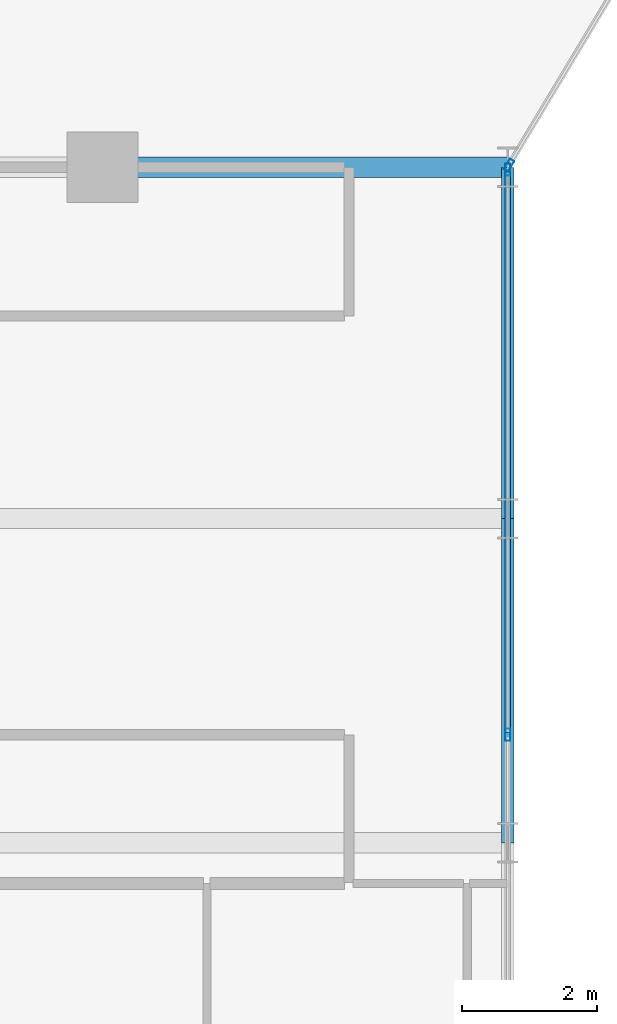
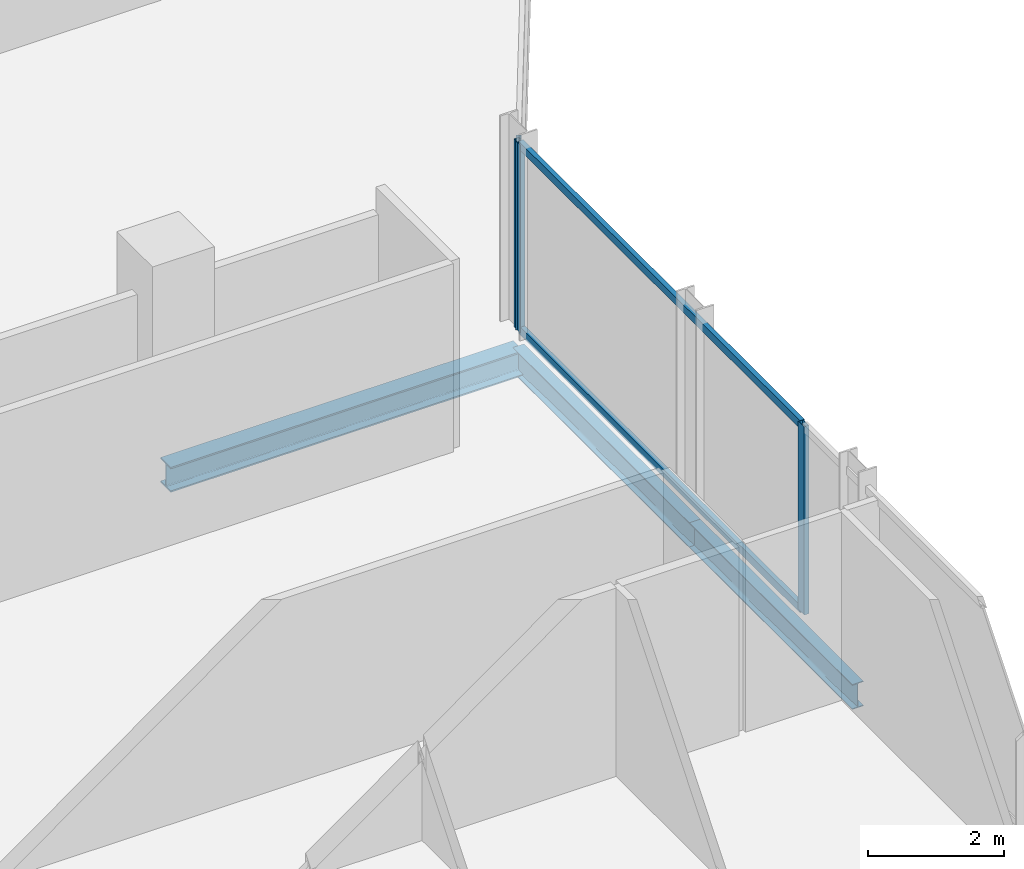
# One storey, part 12 of 30: 5 members, 3 beams, 2 elements without a shape of their own.
"""IFC4 building model written with IfcOpenShell, lengths in metres."""

from ifc_helpers import new_model, si_unit, direction, frame, origin, origin_2d, place, context, subcontext, project, spatial, hollow_rectangle, i_section, extrude, material, layer, layer_set, material_profile, profile_set, type_object, element, aggregate, save


model = new_model("IFC4")

# Units and contexts
model_context = context("Model", 3, precision=1e-05, world=origin(), true_north=direction((0.0, 1.0)))
body_context = subcontext(model_context, "Body", "Model", "MODEL_VIEW")
ifc_project = project(units=[si_unit("LENGTHUNIT", "METRE"), si_unit("AREAUNIT", "SQUARE_METRE"), si_unit("VOLUMEUNIT", "CUBIC_METRE"), si_unit("PLANEANGLEUNIT", "RADIAN"), si_unit("MASSUNIT", "GRAM", prefix="KILO")], contexts=[model_context])

# Site, building, storey
site_placement = place(None, origin())
site = spatial("IfcSite", under=ifc_project, at=site_placement, CompositionType="ELEMENT")
building_placement = place(site_placement, origin())
building = spatial("IfcBuilding", under=site, at=building_placement, Name="Keshet Zoharim Tower", CompositionType="ELEMENT")
storey_placement = place(building_placement, frame((0.0, 0.0, 113.10009765625)))
storey = spatial("IfcBuildingStorey", under=building, at=storey_placement, Name="L27", CompositionType="ELEMENT", Elevation=113.10009765625)

# Beams
ifc_material_1 = material(Name="Steel S355", Category="steel")
ifc_material_profile_1 = material_profile(ifc_material_1, i_section(OverallWidth=0.18994140625, OverallDepth=0.449951171875, WebThickness=0.009521484375, FlangeThickness=0.0146484375, FilletRadius=0.02099609375, at=origin_2d()), Name="IPE450")
ifc_profile_set_1 = profile_set([ifc_material_profile_1], Name="Steel S355")
beam_type_1 = type_object("IfcBeamType", Name="BM-PRI-IP450", PredefinedType="BEAM", material=ifc_profile_set_1)
beam_1_placement = place(storey_placement, frame((57.0, 17.89990234375, -0.5400390625), z_axis=(0.0, 1.0, 0.0), x_axis=(-1.0, 0.0, 0.0)))
element("IfcBeam", 1, at=beam_1_placement, inside=storey, type_object=beam_type_1, Name="L27 Primary Girder Y-015", PredefinedType="BEAM", context=body_context, shape_type="SweptSolid", body=[
    extrude(i_section(OverallWidth=0.18994140625, OverallDepth=0.449951171875, WebThickness=0.009521484375, FlangeThickness=0.0146484375, FilletRadius=0.02099609375, at=origin_2d()), origin(), (0.0, 0.0, 1.0), 4.800048828125),
])
beam_2_placement = place(storey_placement, frame((57.0, 22.699951171875, -0.5400390625), z_axis=(0.0, 1.0, 0.0), x_axis=(-1.0, 0.0, 0.0)))
element("IfcBeam", 2, at=beam_2_placement, inside=storey, type_object=beam_type_1, Name="L27 Primary Girder Y-016", PredefinedType="BEAM", context=body_context, shape_type="SweptSolid", body=[
    extrude(i_section(OverallWidth=0.18994140625, OverallDepth=0.449951171875, WebThickness=0.009521484375, FlangeThickness=0.0146484375, FilletRadius=0.02099609375, at=origin_2d()), origin(), (0.0, 0.0, 1.0), 5.199951171875),
])
ifc_material_profile_2 = material_profile(ifc_material_1, i_section(OverallWidth=0.300048828125, OverallDepth=0.449951171875, WebThickness=0.013916015625, FlangeThickness=0.02587890625, FilletRadius=0.027099609375, at=origin_2d()), Name="HEB450")
ifc_profile_set_2 = profile_set([ifc_material_profile_2], Name="Steel S355")
beam_type_2 = type_object("IfcBeamType", Name="BM-WEB-HB450", PredefinedType="BEAM", material=ifc_profile_set_2)
beam_3_placement = place(storey_placement, frame((51.0, 27.89990234375, -0.5400390625), z_axis=(1.0, 0.0, 0.0), x_axis=(0.0, 1.0, 0.0)))
element("IfcBeam", 3, at=beam_3_placement, inside=storey, type_object=beam_type_2, Name="L27 Primary Girder X-017", PredefinedType="BEAM", context=body_context, shape_type="SweptSolid", body=[
    extrude(i_section(OverallWidth=0.300048828125, OverallDepth=0.449951171875, WebThickness=0.013916015625, FlangeThickness=0.02587890625, FilletRadius=0.027099609375, at=origin_2d()), origin(), (0.0, 0.0, 1.0), 6.0),
])

# Curtain wall, member
ifc_material_2 = material(Name="Aluminium 6063-T6", Category="aluminium")
ifc_layer = layer(ifc_material_2, 0.159912109375)
ifc_layer_set = layer_set([ifc_layer], Name="Aluminium 6063-T6")
curtain_wall_type = type_object("IfcCurtainWallType", Name="CW-SYS-03", PredefinedType="NOTDEFINED", material=ifc_layer_set)
curtain_wall_1_placement = place(storey_placement, origin())
curtain_wall_1 = element("IfcCurtainWall", 4, at=curtain_wall_1_placement, inside=storey, type_object=curtain_wall_type, Name="L27 Unitised Curtain Wall 18", PredefinedType="NOTDEFINED")
ifc_material_profile_3 = material_profile(ifc_material_2, hollow_rectangle(XDim=0.080078125, YDim=0.179931640625, WallThickness=0.00439453125, at=origin_2d()), Name="MUL-80x180")
ifc_profile_set_3 = profile_set([ifc_material_profile_3], Name="Aluminium 6063-T6")
member_type_1 = type_object("IfcMemberType", Name="CWM-M18", PredefinedType="MULLION", material=ifc_profile_set_3)
member_1_placement = place(storey_placement, frame((57.01806640625, 27.929931640625, 0.0), z_axis=(0.0, 0.0, 1.0), x_axis=(0.857501477862, -0.514481501576, 0.0)))
member_1 = element("IfcMember", 5, at=member_1_placement, type_object=member_type_1, Name="CW-03 mullion 2", PredefinedType="MULLION", context=body_context, shape_type="SweptSolid", body=[
    extrude(hollow_rectangle(XDim=0.080078125, YDim=0.179931640625, WallThickness=0.00439453125, at=origin_2d()), origin(), (0.0, 0.0, 1.0), 3.385009765625),
])
aggregate(curtain_wall_1, [member_1])

# Curtain wall, members
curtain_wall_2_placement = place(storey_placement, origin())
curtain_wall_2 = element("IfcCurtainWall", 6, at=curtain_wall_2_placement, inside=storey, type_object=curtain_wall_type, Name="L27 Unitised Curtain Wall 19", PredefinedType="NOTDEFINED")
member_2_placement = place(storey_placement, frame((57.0, 27.864990234375, 0.0), z_axis=(0.0, 0.0, 1.0), x_axis=(1.0, 0.0, 0.0)))
member_2 = element("IfcMember", 7, at=member_2_placement, type_object=member_type_1, Name="CW-03 mullion 1", PredefinedType="MULLION", context=body_context, shape_type="SweptSolid", body=[
    extrude(hollow_rectangle(XDim=0.080078125, YDim=0.179931640625, WallThickness=0.00439453125, at=origin_2d()), origin(), (0.0, 0.0, 1.0), 3.385009765625),
])
member_3_placement = place(storey_placement, frame((57.0, 19.5, 0.0), z_axis=(0.0, 0.0, 1.0), x_axis=(1.0, 0.0, 0.0)))
member_3 = element("IfcMember", 8, at=member_3_placement, type_object=member_type_1, Name="CW-03 mullion 2", PredefinedType="MULLION", context=body_context, shape_type="SweptSolid", body=[
    extrude(hollow_rectangle(XDim=0.080078125, YDim=0.179931640625, WallThickness=0.00439453125, at=origin_2d()), origin(), (0.0, 0.0, 1.0), 3.385009765625),
])
ifc_material_profile_4 = material_profile(ifc_material_2, hollow_rectangle(XDim=0.080078125, YDim=0.139892578125, WallThickness=0.00390625, at=origin_2d()), Name="TRN-80x140")
ifc_profile_set_4 = profile_set([ifc_material_profile_4], Name="Aluminium 6063-T6")
member_type_2 = type_object("IfcMemberType", Name="CWT-T14", PredefinedType="USERDEFINED", material=ifc_profile_set_4)
member_4_placement = place(storey_placement, frame((57.0, 27.830078125, 0.034912109375), z_axis=(0.0, -1.0, 0.0), x_axis=(1.0, 0.0, 0.0)))
member_4 = element("IfcMember", 9, at=member_4_placement, type_object=member_type_2, Name="CW-03 transom 1.1", ObjectType="TRANSOM", PredefinedType="USERDEFINED", context=body_context, shape_type="SweptSolid", body=[
    extrude(hollow_rectangle(XDim=0.080078125, YDim=0.139892578125, WallThickness=0.00390625, at=origin_2d()), origin(), (0.0, 0.0, 1.0), 8.295166015625),
])
member_5_placement = place(storey_placement, frame((57.0, 27.830078125, 3.349853515625), z_axis=(0.0, -1.0, 0.0), x_axis=(1.0, 0.0, 0.0)))
member_5 = element("IfcMember", 10, at=member_5_placement, type_object=member_type_2, Name="CW-03 transom 1.2", ObjectType="TRANSOM", PredefinedType="USERDEFINED", context=body_context, shape_type="SweptSolid", body=[
    extrude(hollow_rectangle(XDim=0.080078125, YDim=0.139892578125, WallThickness=0.00390625, at=origin_2d()), origin(), (0.0, 0.0, 1.0), 8.295166015625),
])
aggregate(curtain_wall_2, [member_2, member_3, member_4, member_5])

save(model, "model.ifc")
